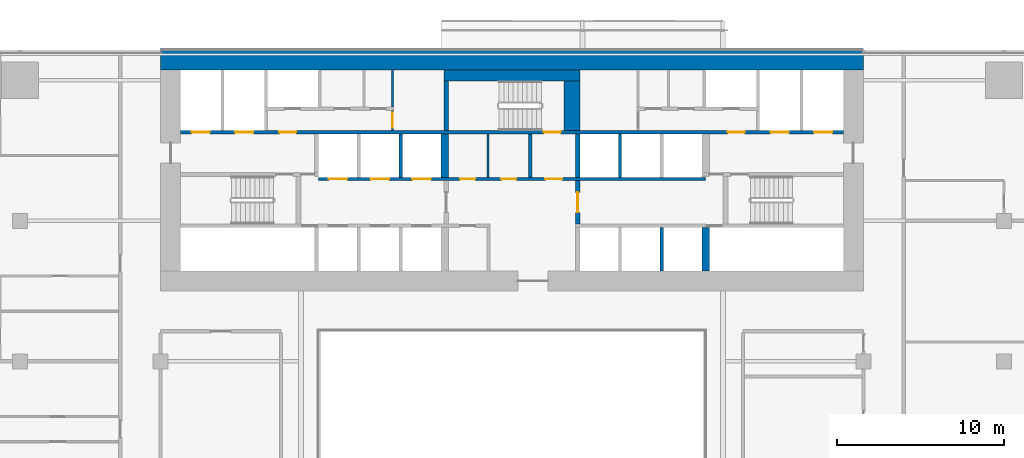
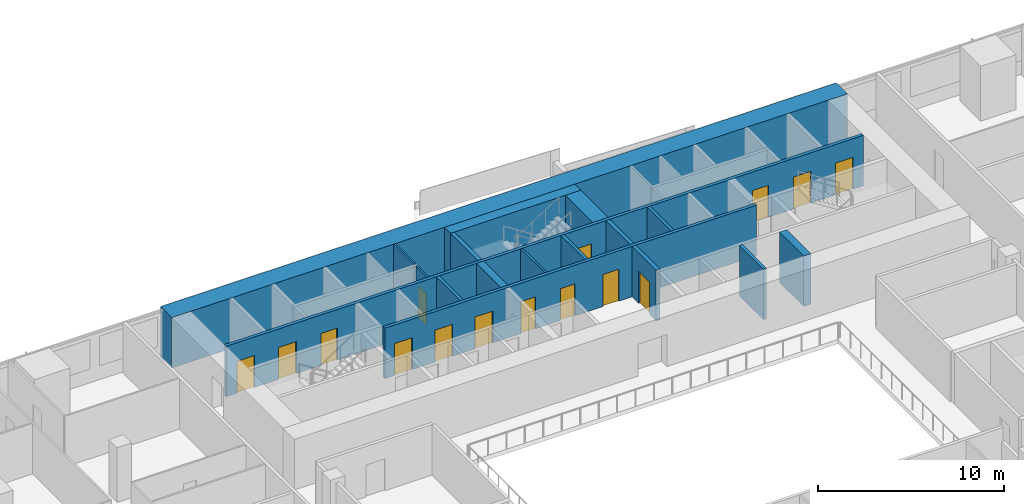
# One storey, part 21 of 26: 17 walls, 15 doors, 15 openings.
"""IFC4 building model written with IfcOpenShell, lengths in metres."""

from ifc_helpers import new_model, si_unit, direction, frame, frame_2d, origin, place, context, subcontext, project, spatial, rectangle, extrude, material, layer, layer_set, type_object, element, fill, save


model = new_model("IFC4")

# Units and contexts
model_context = context("Model", 3, precision=1e-05, world=origin(), true_north=direction((0.0, 1.0)))
body_context = subcontext(model_context, "Body", "Model", "MODEL_VIEW")
ifc_project = project(units=[si_unit("LENGTHUNIT", "METRE"), si_unit("AREAUNIT", "SQUARE_METRE"), si_unit("VOLUMEUNIT", "CUBIC_METRE"), si_unit("PLANEANGLEUNIT", "RADIAN"), si_unit("MASSUNIT", "GRAM", prefix="KILO")], contexts=[model_context])

# Site, building, storey
site_placement = place(None, origin())
site = spatial("IfcSite", under=ifc_project, at=site_placement, CompositionType="ELEMENT")
building_placement = place(site_placement, origin())
building = spatial("IfcBuilding", under=site, at=building_placement, Name="Saffron Gate Tower", CompositionType="ELEMENT")
storey_placement = place(building_placement, frame((0.0, 0.0, 62.39990234375)))
storey = spatial("IfcBuildingStorey", under=building, at=storey_placement, Name="L14", CompositionType="ELEMENT", Elevation=62.39990234375)

# Walls
ifc_material_1 = material(Name="Concrete C70", Category="concrete")
ifc_layer_1 = layer(ifc_material_1, 1.199951171875)
ifc_layer_set_1 = layer_set([ifc_layer_1], Name="CW1 RC core wall 1200 C70")
wall_type_1 = type_object("IfcWallType", Name="CW1 RC core wall 1200 C70", PredefinedType="SOLIDWALL", material=ifc_layer_set_1)
wall_1_placement = place(storey_placement, frame((66.60009765625, 75.0, 0.0), z_axis=(0.0, 0.0, 1.0), x_axis=(1.0, 0.0, 0.0)))
element("IfcWall", 1, at=wall_1_placement, inside=storey, type_object=wall_type_1, Name="Wall CW1-L14-2", PredefinedType="SOLIDWALL", context=body_context, shape_type="SweptSolid", body=[
    extrude(rectangle(XDim=42.0, YDim=1.199951171875, at=frame_2d((21.0, 0.0))), origin(), (0.0, 0.0, 1.0), 3.320068359375),
])
ifc_material_2 = material(Name="Gypsum board partition on steel studs", Category="steel")
ifc_layer_2 = layer(ifc_material_2, 0.199951171875)
ifc_layer_set_2 = layer_set([ifc_layer_2], Name="CW10 Core partition 200")
wall_type_2 = type_object("IfcWallType", Name="CW10 Core partition 200", PredefinedType="PARTITIONING", material=ifc_layer_set_2)
wall_2_placement = place(storey_placement, frame((88.699951171875, 68.0, 0.0), z_axis=(0.0, 0.0, 1.0), x_axis=(0.0, 1.0, 0.0)))
element("IfcWall", 2, at=wall_2_placement, inside=storey, type_object=wall_type_2, Name="Wall CW10-L14-25", PredefinedType="PARTITIONING", context=body_context, shape_type="SweptSolid", body=[
    extrude(rectangle(XDim=2.60009765625, YDim=0.199951171875, at=frame_2d((1.300048828125, 0.0))), origin(), (0.0, 0.0, 1.0), 3.320068359375),
])

# Wall, opening, door
ifc_layer_3 = layer(ifc_material_1, 0.25)
ifc_layer_set_3 = layer_set([ifc_layer_3], Name="CW2 RC core wall 250 C70")
wall_type_3 = type_object("IfcWallType", Name="CW2 RC core wall 250 C70", PredefinedType="SOLIDWALL", material=ifc_layer_set_3)
wall_3_placement = place(storey_placement, frame((91.52490234375, 65.199951171875, 0.0), z_axis=(0.0, 0.0, 1.0), x_axis=(0.0, 1.0, 0.0)))
wall_3 = element("IfcWall", 3, at=wall_3_placement, inside=storey, type_object=wall_type_3, Name="Wall CW2-L14-18", PredefinedType="SOLIDWALL", context=body_context, shape_type="SweptSolid", body=[
    extrude(rectangle(XDim=2.60009765625, YDim=0.25, at=frame_2d((1.300048828125, 0.0))), origin(), (0.0, 0.0, 1.0), 3.320068359375),
])
opening_1_placement = place(wall_3_placement, frame((0.699951171875, 0.0, 0.0)))
opening_1 = element("IfcOpeningElement", 4, at=opening_1_placement, cuts=wall_3, Name="Opening CR-01", PredefinedType="OPENING", context=body_context, shape_type="SweptSolid", body=[
    extrude(rectangle(XDim=1.199951171875, YDim=2.10009765625, at=frame_2d((0.60009765625, 1.050048828125))), frame((0.0, 0.135009765625, 0.0), z_axis=(0.0, -1.0, 0.0), x_axis=(1.0, 0.0, 0.0)), (0.0, 0.0, 1.0), 0.27001953125),
])
ifc_material_3 = material(Name="Steel fire door set", Category="steel")
door_type_1 = type_object("IfcDoorType", Name="CD3 Lobby door 1200x2100 EI 120", OperationType="NOTDEFINED", PredefinedType="DOOR", material=ifc_material_3)
door_1_placement = place(opening_1_placement, origin())
door_1 = element("IfcDoor", 5, at=door_1_placement, inside=storey, type_object=door_type_1, Name="DOOR CR-01", OperationType="SINGLE_SWING_RIGHT", OverallHeight=2.10009765625, OverallWidth=1.199951171875, PredefinedType="DOOR", context=body_context, shape_type="SweptSolid", body=[
    extrude(rectangle(XDim=1.199951171875, YDim=2.10009765625, at=frame_2d((0.60009765625, 1.050048828125))), frame((0.0, 0.02490234375, 0.0), z_axis=(0.0, -1.0, 0.0), x_axis=(1.0, 0.0, 0.0)), (0.0, 0.0, 1.0), 0.050048828125),
])
fill(opening_1, door_1)

# Walls
wall_4_placement = place(storey_placement, frame((91.52490234375, 68.0, 0.0), z_axis=(0.0, 0.0, 1.0), x_axis=(0.0, 1.0, 0.0)))
element("IfcWall", 6, at=wall_4_placement, inside=storey, type_object=wall_type_3, Name="Wall CW2-L14-26", PredefinedType="SOLIDWALL", context=body_context, shape_type="SweptSolid", body=[
    extrude(rectangle(XDim=2.60009765625, YDim=0.25, at=frame_2d((1.300048828125, 0.0))), origin(), (0.0, 0.0, 1.0), 3.320068359375),
])
wall_5_placement = place(storey_placement, frame((83.675048828125, 70.800048828125, 0.0), z_axis=(0.0, 0.0, 1.0), x_axis=(0.0, 1.0, 0.0)))
element("IfcWall", 7, at=wall_5_placement, inside=storey, type_object=wall_type_3, Name="Wall CW2-L14-38", PredefinedType="SOLIDWALL", context=body_context, shape_type="SweptSolid", body=[
    extrude(rectangle(XDim=2.949951171875, YDim=0.25, at=frame_2d((1.47509765625, 0.0))), origin(), (0.0, 0.0, 1.0), 3.320068359375),
])
ifc_layer_4 = layer(ifc_material_1, 0.199951171875)
ifc_layer_set_4 = layer_set([ifc_layer_4], Name="CW3 RC core wall 200 C70")
wall_type_4 = type_object("IfcWallType", Name="CW3 RC core wall 200 C70", PredefinedType="SOLIDWALL", material=ifc_layer_set_4)
wall_6_placement = place(storey_placement, frame((96.550048828125, 62.39990234375, 0.0), z_axis=(0.0, 0.0, 1.0), x_axis=(0.0, 1.0, 0.0)))
element("IfcWall", 8, at=wall_6_placement, inside=storey, type_object=wall_type_4, Name="Wall CW3-L14-12", PredefinedType="SOLIDWALL", context=body_context, shape_type="SweptSolid", body=[
    extrude(rectangle(XDim=2.60009765625, YDim=0.199951171875, at=frame_2d((1.300048828125, 0.0))), origin(), (0.0, 0.0, 1.0), 3.320068359375),
])

# Wall, openings, doors
wall_7_placement = place(storey_placement, frame((76.050048828125, 67.89990234375, 0.0), z_axis=(0.0, 0.0, 1.0), x_axis=(1.0, 0.0, 0.0)))
wall_7 = element("IfcWall", 9, at=wall_7_placement, inside=storey, type_object=wall_type_4, Name="Wall CW3-L14-20", PredefinedType="SOLIDWALL", context=body_context, shape_type="SweptSolid", body=[
    extrude(rectangle(XDim=23.099853515625, YDim=0.199951171875, at=frame_2d((11.5498046875, 0.0))), origin(), (0.0, 0.0, 1.0), 3.320068359375),
])
opening_2_placement = place(wall_7_placement, frame((0.60009765625, 0.0, 0.0)))
opening_2 = element("IfcOpeningElement", 10, at=opening_2_placement, cuts=wall_7, Name="Opening LD-LR4", PredefinedType="OPENING", context=body_context, shape_type="SweptSolid", body=[
    extrude(rectangle(XDim=1.10009765625, YDim=2.10009765625, at=frame_2d((0.550048828125, 1.050048828125))), frame((0.0, 0.10986328125, 0.0), z_axis=(0.0, -1.0, 0.0), x_axis=(1.0, 0.0, 0.0)), (0.0, 0.0, 1.0), 0.219970703125),
])
opening_3_placement = place(wall_7_placement, frame((3.10009765625, 0.0, 0.0)))
opening_3 = element("IfcOpeningElement", 11, at=opening_3_placement, cuts=wall_7, Name="Opening LD-LR5", PredefinedType="OPENING", context=body_context, shape_type="SweptSolid", body=[
    extrude(rectangle(XDim=1.10009765625, YDim=2.10009765625, at=frame_2d((0.550048828125, 1.050048828125))), frame((0.0, 0.10986328125, 0.0), z_axis=(0.0, -1.0, 0.0), x_axis=(1.0, 0.0, 0.0)), (0.0, 0.0, 1.0), 0.219970703125),
])
opening_4_placement = place(wall_7_placement, frame((5.60009765625, 0.0, 0.0)))
opening_4 = element("IfcOpeningElement", 12, at=opening_4_placement, cuts=wall_7, Name="Opening LD-LR6", PredefinedType="OPENING", context=body_context, shape_type="SweptSolid", body=[
    extrude(rectangle(XDim=1.10009765625, YDim=2.10009765625, at=frame_2d((0.550048828125, 1.050048828125))), frame((0.0, 0.10986328125, 0.0), z_axis=(0.0, -1.0, 0.0), x_axis=(1.0, 0.0, 0.0)), (0.0, 0.0, 1.0), 0.219970703125),
])
opening_5_placement = place(wall_7_placement, frame((8.449951171875, 0.0, 0.0)))
opening_5 = element("IfcOpeningElement", 13, at=opening_5_placement, cuts=wall_7, Name="Opening CR-67", PredefinedType="OPENING", context=body_context, shape_type="SweptSolid", body=[
    extrude(rectangle(XDim=0.89990234375, YDim=2.10009765625, at=frame_2d((0.449951171875, 1.050048828125))), frame((0.0, 0.10986328125, 0.0), z_axis=(0.0, -1.0, 0.0), x_axis=(1.0, 0.0, 0.0)), (0.0, 0.0, 1.0), 0.219970703125),
])
opening_6_placement = place(wall_7_placement, frame((10.909912109375, 0.0, 0.0)))
opening_6 = element("IfcOpeningElement", 14, at=opening_6_placement, cuts=wall_7, Name="Opening CR-68", PredefinedType="OPENING", context=body_context, shape_type="SweptSolid", body=[
    extrude(rectangle(XDim=0.89990234375, YDim=2.10009765625, at=frame_2d((0.449951171875, 1.050048828125))), frame((0.0, 0.10986328125, 0.0), z_axis=(0.0, -1.0, 0.0), x_axis=(1.0, 0.0, 0.0)), (0.0, 0.0, 1.0), 0.219970703125),
])
opening_7_placement = place(wall_7_placement, frame((13.550048828125, 0.0, 0.0)))
opening_7 = element("IfcOpeningElement", 15, at=opening_7_placement, cuts=wall_7, Name="Opening CR-02", PredefinedType="OPENING", context=body_context, shape_type="SweptSolid", body=[
    extrude(rectangle(XDim=1.0, YDim=2.10009765625, at=frame_2d((0.5, 1.050048828125))), frame((0.0, 0.10986328125, 0.0), z_axis=(0.0, -1.0, 0.0), x_axis=(1.0, 0.0, 0.0)), (0.0, 0.0, 1.0), 0.219970703125),
])
door_type_2 = type_object("IfcDoorType", Name="CD4 Lobby door 1000x2100 EI 120", OperationType="NOTDEFINED", PredefinedType="DOOR", material=ifc_material_3)
door_2_placement = place(opening_7_placement, origin())
door_2 = element("IfcDoor", 16, at=door_2_placement, inside=storey, type_object=door_type_2, Name="DOOR CR-02", OperationType="SINGLE_SWING_LEFT", OverallHeight=2.10009765625, OverallWidth=1.0, PredefinedType="DOOR", context=body_context, shape_type="SweptSolid", body=[
    extrude(rectangle(XDim=1.0, YDim=2.10009765625, at=frame_2d((0.5, 1.050048828125))), frame((0.0, 0.02490234375, 0.0), z_axis=(0.0, -1.0, 0.0), x_axis=(1.0, 0.0, 0.0)), (0.0, 0.0, 1.0), 0.050048828125),
])
fill(opening_7, door_2)
door_type_3 = type_object("IfcDoorType", Name="CD9 Room door 900x2100 EI 60", OperationType="NOTDEFINED", PredefinedType="DOOR", material=ifc_material_3)
door_3_placement = place(opening_5_placement, origin())
door_3 = element("IfcDoor", 17, at=door_3_placement, inside=storey, type_object=door_type_3, Name="DOOR CR-67", OperationType="SINGLE_SWING_LEFT", OverallHeight=2.10009765625, OverallWidth=0.89990234375, PredefinedType="DOOR", context=body_context, shape_type="SweptSolid", body=[
    extrude(rectangle(XDim=0.89990234375, YDim=2.10009765625, at=frame_2d((0.449951171875, 1.050048828125))), frame((0.0, 0.02490234375, 0.0), z_axis=(0.0, -1.0, 0.0), x_axis=(1.0, 0.0, 0.0)), (0.0, 0.0, 1.0), 0.050048828125),
])
fill(opening_5, door_3)
door_4_placement = place(opening_6_placement, origin())
door_4 = element("IfcDoor", 18, at=door_4_placement, inside=storey, type_object=door_type_3, Name="DOOR CR-68", OperationType="SINGLE_SWING_LEFT", OverallHeight=2.10009765625, OverallWidth=0.89990234375, PredefinedType="DOOR", context=body_context, shape_type="SweptSolid", body=[
    extrude(rectangle(XDim=0.89990234375, YDim=2.10009765625, at=frame_2d((0.449951171875, 1.050048828125))), frame((0.0, 0.02490234375, 0.0), z_axis=(0.0, -1.0, 0.0), x_axis=(1.0, 0.0, 0.0)), (0.0, 0.0, 1.0), 0.050048828125),
])
fill(opening_6, door_4)
ifc_material_4 = material(Name="Stainless steel landing door", Category="steel")
door_type_4 = type_object("IfcDoorType", Name="LD Lift landing door 1100x2100 EI 120", OperationType="SLIDING_TO_LEFT", PredefinedType="DOOR", material=ifc_material_4)
door_5_placement = place(opening_2_placement, origin())
door_5 = element("IfcDoor", 19, at=door_5_placement, inside=storey, type_object=door_type_4, Name="LANDING DOOR LD-LR4", OperationType="SLIDING_TO_RIGHT", OverallHeight=2.10009765625, OverallWidth=1.10009765625, PredefinedType="DOOR", context=body_context, shape_type="SweptSolid", body=[
    extrude(rectangle(XDim=1.10009765625, YDim=2.10009765625, at=frame_2d((0.550048828125, 1.050048828125))), frame((0.0, 0.02490234375, 0.0), z_axis=(0.0, -1.0, 0.0), x_axis=(1.0, 0.0, 0.0)), (0.0, 0.0, 1.0), 0.050048828125),
])
fill(opening_2, door_5)
door_6_placement = place(opening_3_placement, origin())
door_6 = element("IfcDoor", 20, at=door_6_placement, inside=storey, type_object=door_type_4, Name="LANDING DOOR LD-LR5", OperationType="SLIDING_TO_RIGHT", OverallHeight=2.10009765625, OverallWidth=1.10009765625, PredefinedType="DOOR", context=body_context, shape_type="SweptSolid", body=[
    extrude(rectangle(XDim=1.10009765625, YDim=2.10009765625, at=frame_2d((0.550048828125, 1.050048828125))), frame((0.0, 0.02490234375, 0.0), z_axis=(0.0, -1.0, 0.0), x_axis=(1.0, 0.0, 0.0)), (0.0, 0.0, 1.0), 0.050048828125),
])
fill(opening_3, door_6)
door_7_placement = place(opening_4_placement, origin())
door_7 = element("IfcDoor", 21, at=door_7_placement, inside=storey, type_object=door_type_4, Name="LANDING DOOR LD-LR6", OperationType="SLIDING_TO_RIGHT", OverallHeight=2.10009765625, OverallWidth=1.10009765625, PredefinedType="DOOR", context=body_context, shape_type="SweptSolid", body=[
    extrude(rectangle(XDim=1.10009765625, YDim=2.10009765625, at=frame_2d((0.550048828125, 1.050048828125))), frame((0.0, 0.02490234375, 0.0), z_axis=(0.0, -1.0, 0.0), x_axis=(1.0, 0.0, 0.0)), (0.0, 0.0, 1.0), 0.050048828125),
])
fill(opening_4, door_7)

# Walls
for number, where, z_axis, x_axis, name in (
    (22, (80.949951171875, 68.0, 0.0), (0.0, 0.0, 1.0), (0.0, 1.0, 0.0), "Wall CW3-L14-22"),
    (23, (94.050048828125, 68.0, 0.0), (0.0, 0.0, 1.0), (0.0, 1.0, 0.0), "Wall CW3-L14-27"),
):
    element("IfcWall", number, at=place(storey_placement, frame(where, z_axis=z_axis, x_axis=x_axis)), inside=storey, type_object=wall_type_4, Name=name, PredefinedType="SOLIDWALL", context=body_context, shape_type="SweptSolid", body=[
        extrude(rectangle(XDim=2.60009765625, YDim=0.199951171875, at=frame_2d((1.300048828125, 0.0))), origin(), (0.0, 0.0, 1.0), 3.320068359375),
    ])

# Wall, openings, doors
wall_8_placement = place(storey_placement, frame((67.800048828125, 70.699951171875, 0.0), z_axis=(0.0, 0.0, 1.0), x_axis=(1.0, 0.0, 0.0)))
wall_8 = element("IfcWall", 24, at=wall_8_placement, inside=storey, type_object=wall_type_4, Name="Wall CW3-L14-34", PredefinedType="SOLIDWALL", context=body_context, shape_type="SweptSolid", body=[
    extrude(rectangle(XDim=39.599853515625, YDim=0.199951171875, at=frame_2d((19.7998046875, 0.0))), origin(), (0.0, 0.0, 1.0), 3.320068359375),
])
opening_8_placement = place(wall_8_placement, frame((0.64990234375, 0.0, 0.0)))
opening_8 = element("IfcOpeningElement", 25, at=opening_8_placement, cuts=wall_8, Name="Opening LD-FF1", PredefinedType="OPENING", context=body_context, shape_type="SweptSolid", body=[
    extrude(rectangle(XDim=1.10009765625, YDim=2.10009765625, at=frame_2d((0.550048828125, 1.050048828125))), frame((0.0, 0.10986328125, 0.0), z_axis=(0.0, -1.0, 0.0), x_axis=(1.0, 0.0, 0.0)), (0.0, 0.0, 1.0), 0.219970703125),
])
opening_9_placement = place(wall_8_placement, frame((3.25, 0.0, 0.0)))
opening_9 = element("IfcOpeningElement", 26, at=opening_9_placement, cuts=wall_8, Name="Opening LD-SV1", PredefinedType="OPENING", context=body_context, shape_type="SweptSolid", body=[
    extrude(rectangle(XDim=1.10009765625, YDim=2.10009765625, at=frame_2d((0.550048828125, 1.050048828125))), frame((0.0, 0.10986328125, 0.0), z_axis=(0.0, -1.0, 0.0), x_axis=(1.0, 0.0, 0.0)), (0.0, 0.0, 1.0), 0.219970703125),
])
opening_10_placement = place(wall_8_placement, frame((5.89990234375, 0.0, 0.0)))
opening_10 = element("IfcOpeningElement", 27, at=opening_10_placement, cuts=wall_8, Name="Opening CR-03", PredefinedType="OPENING", context=body_context, shape_type="SweptSolid", body=[
    extrude(rectangle(XDim=1.0, YDim=2.10009765625, at=frame_2d((0.5, 1.050048828125))), frame((0.0, 0.10986328125, 0.0), z_axis=(0.0, -1.0, 0.0), x_axis=(1.0, 0.0, 0.0)), (0.0, 0.0, 1.0), 0.219970703125),
])
opening_11_placement = place(wall_8_placement, frame((21.699951171875, 0.0, 0.0)))
opening_11 = element("IfcOpeningElement", 28, at=opening_11_placement, cuts=wall_8, Name="Opening CR-17", PredefinedType="OPENING", context=body_context, shape_type="SweptSolid", body=[
    extrude(rectangle(XDim=1.0, YDim=2.10009765625, at=frame_2d((0.5, 1.050048828125))), frame((0.0, 0.10986328125, 0.0), z_axis=(0.0, -1.0, 0.0), x_axis=(1.0, 0.0, 0.0)), (0.0, 0.0, 1.0), 0.219970703125),
])
opening_12_placement = place(wall_8_placement, frame((32.699951171875, 0.0, 0.0)))
opening_12 = element("IfcOpeningElement", 29, at=opening_12_placement, cuts=wall_8, Name="Opening CR-04", PredefinedType="OPENING", context=body_context, shape_type="SweptSolid", body=[
    extrude(rectangle(XDim=1.0, YDim=2.10009765625, at=frame_2d((0.5, 1.050048828125))), frame((0.0, 0.10986328125, 0.0), z_axis=(0.0, -1.0, 0.0), x_axis=(1.0, 0.0, 0.0)), (0.0, 0.0, 1.0), 0.219970703125),
])
opening_13_placement = place(wall_8_placement, frame((35.25, 0.0, 0.0)))
opening_13 = element("IfcOpeningElement", 30, at=opening_13_placement, cuts=wall_8, Name="Opening LD-SV2", PredefinedType="OPENING", context=body_context, shape_type="SweptSolid", body=[
    extrude(rectangle(XDim=1.10009765625, YDim=2.10009765625, at=frame_2d((0.550048828125, 1.050048828125))), frame((0.0, 0.10986328125, 0.0), z_axis=(0.0, -1.0, 0.0), x_axis=(1.0, 0.0, 0.0)), (0.0, 0.0, 1.0), 0.219970703125),
])
opening_14_placement = place(wall_8_placement, frame((37.85009765625, 0.0, 0.0)))
opening_14 = element("IfcOpeningElement", 31, at=opening_14_placement, cuts=wall_8, Name="Opening LD-FF2", PredefinedType="OPENING", context=body_context, shape_type="SweptSolid", body=[
    extrude(rectangle(XDim=1.10009765625, YDim=2.10009765625, at=frame_2d((0.550048828125, 1.050048828125))), frame((0.0, 0.10986328125, 0.0), z_axis=(0.0, -1.0, 0.0), x_axis=(1.0, 0.0, 0.0)), (0.0, 0.0, 1.0), 0.219970703125),
])
door_8_placement = place(opening_10_placement, origin())
door_8 = element("IfcDoor", 32, at=door_8_placement, inside=storey, type_object=door_type_2, Name="DOOR CR-03", OperationType="SINGLE_SWING_LEFT", OverallHeight=2.10009765625, OverallWidth=1.0, PredefinedType="DOOR", context=body_context, shape_type="SweptSolid", body=[
    extrude(rectangle(XDim=1.0, YDim=2.10009765625, at=frame_2d((0.5, 1.050048828125))), frame((0.0, 0.02490234375, 0.0), z_axis=(0.0, -1.0, 0.0), x_axis=(1.0, 0.0, 0.0)), (0.0, 0.0, 1.0), 0.050048828125),
])
fill(opening_10, door_8)
door_9_placement = place(opening_12_placement, origin())
door_9 = element("IfcDoor", 33, at=door_9_placement, inside=storey, type_object=door_type_2, Name="DOOR CR-04", OperationType="SINGLE_SWING_RIGHT", OverallHeight=2.10009765625, OverallWidth=1.0, PredefinedType="DOOR", context=body_context, shape_type="SweptSolid", body=[
    extrude(rectangle(XDim=1.0, YDim=2.10009765625, at=frame_2d((0.5, 1.050048828125))), frame((0.0, 0.02490234375, 0.0), z_axis=(0.0, -1.0, 0.0), x_axis=(1.0, 0.0, 0.0)), (0.0, 0.0, 1.0), 0.050048828125),
])
fill(opening_12, door_9)
door_type_5 = type_object("IfcDoorType", Name="CD5 Stair door 1000x2100 EI 120", OperationType="NOTDEFINED", PredefinedType="DOOR", material=ifc_material_3)
door_10_placement = place(opening_11_placement, origin())
door_10 = element("IfcDoor", 34, at=door_10_placement, inside=storey, type_object=door_type_5, Name="DOOR CR-17", OperationType="SINGLE_SWING_RIGHT", OverallHeight=2.10009765625, OverallWidth=1.0, PredefinedType="DOOR", context=body_context, shape_type="SweptSolid", body=[
    extrude(rectangle(XDim=1.0, YDim=2.10009765625, at=frame_2d((0.5, 1.050048828125))), frame((0.0, 0.02490234375, 0.0), z_axis=(0.0, -1.0, 0.0), x_axis=(1.0, 0.0, 0.0)), (0.0, 0.0, 1.0), 0.050048828125),
])
fill(opening_11, door_10)
door_11_placement = place(opening_8_placement, origin())
door_11 = element("IfcDoor", 35, at=door_11_placement, inside=storey, type_object=door_type_4, Name="LANDING DOOR LD-FF1", OperationType="SLIDING_TO_RIGHT", OverallHeight=2.10009765625, OverallWidth=1.10009765625, PredefinedType="DOOR", context=body_context, shape_type="SweptSolid", body=[
    extrude(rectangle(XDim=1.10009765625, YDim=2.10009765625, at=frame_2d((0.550048828125, 1.050048828125))), frame((0.0, 0.02490234375, 0.0), z_axis=(0.0, -1.0, 0.0), x_axis=(1.0, 0.0, 0.0)), (0.0, 0.0, 1.0), 0.050048828125),
])
fill(opening_8, door_11)
door_12_placement = place(opening_9_placement, origin())
door_12 = element("IfcDoor", 36, at=door_12_placement, inside=storey, type_object=door_type_4, Name="LANDING DOOR LD-SV1", OperationType="SLIDING_TO_RIGHT", OverallHeight=2.10009765625, OverallWidth=1.10009765625, PredefinedType="DOOR", context=body_context, shape_type="SweptSolid", body=[
    extrude(rectangle(XDim=1.10009765625, YDim=2.10009765625, at=frame_2d((0.550048828125, 1.050048828125))), frame((0.0, 0.02490234375, 0.0), z_axis=(0.0, -1.0, 0.0), x_axis=(1.0, 0.0, 0.0)), (0.0, 0.0, 1.0), 0.050048828125),
])
fill(opening_9, door_12)
door_13_placement = place(opening_13_placement, origin())
door_13 = element("IfcDoor", 37, at=door_13_placement, inside=storey, type_object=door_type_4, Name="LANDING DOOR LD-SV2", OperationType="SLIDING_TO_RIGHT", OverallHeight=2.10009765625, OverallWidth=1.10009765625, PredefinedType="DOOR", context=body_context, shape_type="SweptSolid", body=[
    extrude(rectangle(XDim=1.10009765625, YDim=2.10009765625, at=frame_2d((0.550048828125, 1.050048828125))), frame((0.0, 0.02490234375, 0.0), z_axis=(0.0, -1.0, 0.0), x_axis=(1.0, 0.0, 0.0)), (0.0, 0.0, 1.0), 0.050048828125),
])
fill(opening_13, door_13)
door_14_placement = place(opening_14_placement, origin())
door_14 = element("IfcDoor", 38, at=door_14_placement, inside=storey, type_object=door_type_4, Name="LANDING DOOR LD-FF2", OperationType="SLIDING_TO_RIGHT", OverallHeight=2.10009765625, OverallWidth=1.10009765625, PredefinedType="DOOR", context=body_context, shape_type="SweptSolid", body=[
    extrude(rectangle(XDim=1.10009765625, YDim=2.10009765625, at=frame_2d((0.550048828125, 1.050048828125))), frame((0.0, 0.02490234375, 0.0), z_axis=(0.0, -1.0, 0.0), x_axis=(1.0, 0.0, 0.0)), (0.0, 0.0, 1.0), 0.050048828125),
])
fill(opening_14, door_14)

# Walls
ifc_layer_5 = layer(ifc_material_1, 0.449951171875)
ifc_layer_set_5 = layer_set([ifc_layer_5], Name="CW4 RC core wall 450 C70")
wall_type_5 = type_object("IfcWallType", Name="CW4 RC core wall 450 C70", PredefinedType="SOLIDWALL", material=ifc_layer_set_5)
for number, where, z_axis, x_axis, name in (
    (39, (99.175048828125, 62.39990234375, 0.0), (0.0, 0.0, 1.0), (0.0, 1.0, 0.0), "Wall CW4-L14-13"),
    (40, (83.574951171875, 68.0, 0.0), (0.0, 0.0, 1.0), (0.0, 1.0, 0.0), "Wall CW4-L14-23"),
):
    element("IfcWall", number, at=place(storey_placement, frame(where, z_axis=z_axis, x_axis=x_axis)), inside=storey, type_object=wall_type_5, Name=name, PredefinedType="SOLIDWALL", context=body_context, shape_type="SweptSolid", body=[
        extrude(rectangle(XDim=2.60009765625, YDim=0.449951171875, at=frame_2d((1.300048828125, 0.0))), origin(), (0.0, 0.0, 1.0), 3.320068359375),
    ])
ifc_layer_6 = layer(ifc_material_1, 0.949951171875)
ifc_layer_set_6 = layer_set([ifc_layer_6], Name="CW7 RC core wall 950 C70")
wall_type_6 = type_object("IfcWallType", Name="CW7 RC core wall 950 C70", PredefinedType="SOLIDWALL", material=ifc_layer_set_6)
wall_9_placement = place(storey_placement, frame((91.175048828125, 70.800048828125, 0.0), z_axis=(0.0, 0.0, 1.0), x_axis=(0.0, 1.0, 0.0)))
element("IfcWall", 41, at=wall_9_placement, inside=storey, type_object=wall_type_6, Name="Wall CW7-L14-39", PredefinedType="SOLIDWALL", context=body_context, shape_type="SweptSolid", body=[
    extrude(rectangle(XDim=2.949951171875, YDim=0.949951171875, at=frame_2d((1.47509765625, 0.0))), origin(), (0.0, 0.0, 1.0), 3.320068359375),
])
ifc_layer_7 = layer(ifc_material_2, 0.1201171875)
ifc_layer_set_7 = layer_set([ifc_layer_7], Name="CW8 Core partition 120")
wall_type_7 = type_object("IfcWallType", Name="CW8 Core partition 120", PredefinedType="PARTITIONING", material=ifc_layer_set_7)
wall_10_placement = place(storey_placement, frame((86.159912109375, 68.0, 0.0), z_axis=(0.0, 0.0, 1.0), x_axis=(0.0, 1.0, 0.0)))
element("IfcWall", 42, at=wall_10_placement, inside=storey, type_object=wall_type_7, Name="Wall CW8-L14-24", PredefinedType="PARTITIONING", context=body_context, shape_type="SweptSolid", body=[
    extrude(rectangle(XDim=2.60009765625, YDim=0.1201171875, at=frame_2d((1.300048828125, 0.0))), origin(), (0.0, 0.0, 1.0), 3.320068359375),
])

# Wall, opening, door
wall_11_placement = place(storey_placement, frame((80.4599609375, 70.800048828125, 0.0), z_axis=(0.0, 0.0, 1.0), x_axis=(0.0, 1.0, 0.0)))
wall_11 = element("IfcWall", 43, at=wall_11_placement, inside=storey, type_object=wall_type_7, Name="Wall CW8-L14-37", PredefinedType="PARTITIONING", context=body_context, shape_type="SweptSolid", body=[
    extrude(rectangle(XDim=1.199951171875, YDim=0.1201171875, at=frame_2d((0.60009765625, 0.0))), origin(), (0.0, 0.0, 1.0), 3.320068359375),
])
opening_15_placement = place(wall_11_placement, frame((0.14990234375, 0.0, 0.0)))
opening_15 = element("IfcOpeningElement", 44, at=opening_15_placement, cuts=wall_11, Name="Opening CR-60", PredefinedType="OPENING", context=body_context, shape_type="SweptSolid", body=[
    extrude(rectangle(XDim=0.89990234375, YDim=2.10009765625, at=frame_2d((0.449951171875, 1.050048828125))), frame((0.0, 0.070068359375, 0.0), z_axis=(0.0, -1.0, 0.0), x_axis=(1.0, 0.0, 0.0)), (0.0, 0.0, 1.0), 0.14013671875),
])
door_15_placement = place(opening_15_placement, origin())
door_15 = element("IfcDoor", 45, at=door_15_placement, inside=storey, type_object=door_type_3, Name="DOOR CR-60", OperationType="SINGLE_SWING_RIGHT", OverallHeight=2.10009765625, OverallWidth=0.89990234375, PredefinedType="DOOR", context=body_context, shape_type="SweptSolid", body=[
    extrude(rectangle(XDim=0.89990234375, YDim=2.10009765625, at=frame_2d((0.449951171875, 1.050048828125))), frame((0.0, 0.02490234375, 0.0), z_axis=(0.0, -1.0, 0.0), x_axis=(1.0, 0.0, 0.0)), (0.0, 0.0, 1.0), 0.050048828125),
])
fill(opening_15, door_15)

# Walls
wall_12_placement = place(storey_placement, frame((80.4599609375, 72.199951171875, 0.0), z_axis=(0.0, 0.0, 1.0), x_axis=(0.0, 1.0, 0.0)))
element("IfcWall", 46, at=wall_12_placement, inside=storey, type_object=wall_type_7, Name="Wall CW8-L14-48", PredefinedType="PARTITIONING", context=body_context, shape_type="SweptSolid", body=[
    extrude(rectangle(XDim=2.199951171875, YDim=0.1201171875, at=frame_2d((1.10009765625, 0.0))), origin(), (0.0, 0.0, 1.0), 3.320068359375),
])
ifc_layer_8 = layer(ifc_material_1, 0.64990234375)
ifc_layer_set_8 = layer_set([ifc_layer_8], Name="CW9 RC core wall 650 C70")
wall_type_8 = type_object("IfcWallType", Name="CW9 RC core wall 650 C70", PredefinedType="SOLIDWALL", material=ifc_layer_set_8)
wall_13_placement = place(storey_placement, frame((83.550048828125, 74.074951171875, 0.0), z_axis=(0.0, 0.0, 1.0), x_axis=(1.0, 0.0, 0.0)))
element("IfcWall", 47, at=wall_13_placement, inside=storey, type_object=wall_type_8, Name="Wall CW9-L14-53", PredefinedType="SOLIDWALL", context=body_context, shape_type="SweptSolid", body=[
    extrude(rectangle(XDim=8.099853515625, YDim=0.64990234375, at=frame_2d((4.0498046875, 0.0))), origin(), (0.0, 0.0, 1.0), 3.320068359375),
])

save(model, "model.ifc")
